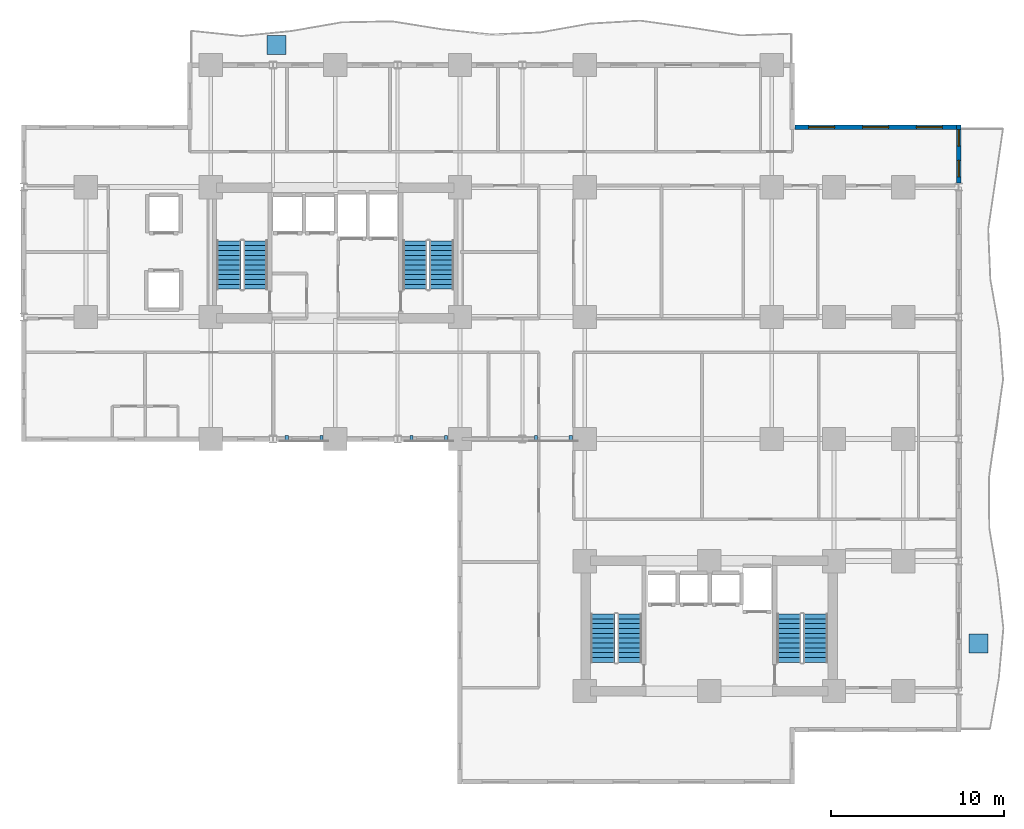
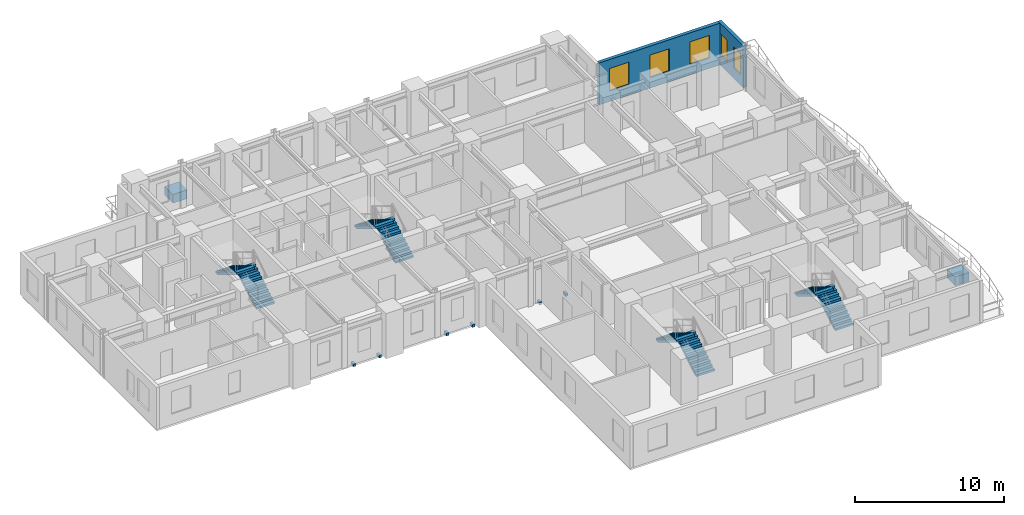
# One storey, part 8 of 11: 8 discrete accessories, 8 stair flights, 5 windows, 2 walls, 5 openings, 4 elements without a shape of their own.
"""IFC4 building model written with IfcOpenShell, lengths in metres."""

from ifc_helpers import new_model, si_unit, direction, frame, frame_2d, origin, origin_2d, place, context, subcontext, project, spatial, polyline, rectangle, outline, extrude, source, transform, mapped, material, layer, layer_set, type_object, element, fill, aggregate, save


model = new_model("IFC4")

# Units and contexts
model_context = context("Model", 3, precision=1e-05, world=origin(), true_north=direction((0.0, 1.0)))
body_context = subcontext(model_context, "Body", "Model", "MODEL_VIEW")
ifc_project = project(units=[si_unit("LENGTHUNIT", "METRE"), si_unit("AREAUNIT", "SQUARE_METRE"), si_unit("VOLUMEUNIT", "CUBIC_METRE"), si_unit("PLANEANGLEUNIT", "RADIAN"), si_unit("MASSUNIT", "GRAM", prefix="KILO")], contexts=[model_context])

# Site, building, storey
site_placement = place(None, origin())
site = spatial("IfcSite", under=ifc_project, at=site_placement, CompositionType="ELEMENT")
building_placement = place(site_placement, origin())
building = spatial("IfcBuilding", under=site, at=building_placement, Name="Kaliganga Portal Commons", CompositionType="ELEMENT")
storey_placement = place(building_placement, frame((0.0, 0.0, 51.199951171875)))
storey = spatial("IfcBuildingStorey", under=building, at=storey_placement, Name="L12", CompositionType="ELEMENT", Elevation=51.199951171875)

# Wall, openings, windows
ifc_material_1 = material(Name="Insulated Aluminium-Clad Spandrel Assembly", Category="aluminium")
ifc_layer = layer(ifc_material_1, 0.260009765625)
ifc_layer_set = layer_set([ifc_layer], Name="Insulated Aluminium-Clad Spandrel Assembly")
wall_type = type_object("IfcWallType", Name="WL-EXT-SPAND-260", PredefinedType="STANDARD", material=ifc_layer_set)
wall_1_placement = place(storey_placement, frame((57.60009765625, 39.72998046875, 0.0), z_axis=(0.0, 0.0, 1.0), x_axis=(0.0, -1.0, 0.0)))
wall_1 = element("IfcWall", 1, at=wall_1_placement, inside=storey, type_object=wall_type, Name="Exterior Envelope Wall L12 P1-E03-S6", PredefinedType="STANDARD", context=body_context, shape_type="SweptSolid", body=[
    extrude(rectangle(XDim=3.35595703125, YDim=0.260009765625, at=frame_2d((1.677978515625, 0.0))), origin(), (0.0, 0.0, 1.0), 3.429931640625),
])
opening_1_placement = place(wall_1_placement, frame((2.035400390625, 0.0, 0.85009765625)))
opening_1 = element("IfcOpeningElement", 2, at=opening_1_placement, cuts=wall_1, Name="Opening W-04", PredefinedType="OPENING", context=body_context, shape_type="SweptSolid", body=[
    extrude(rectangle(XDim=0.949951171875, YDim=1.75, at=frame_2d((0.47509765625, 0.875))), frame((0.0, 0.14013671875, 0.0), z_axis=(0.0, -1.0, 0.0), x_axis=(1.0, 0.0, 0.0)), (0.0, 0.0, 1.0), 0.280029296875),
])
opening_2_placement = place(wall_1_placement, frame((0.26318359375, 0.0, 0.85009765625)))
opening_2 = element("IfcOpeningElement", 3, at=opening_2_placement, cuts=wall_1, Name="Opening W-04", PredefinedType="OPENING", context=body_context, shape_type="SweptSolid", body=[
    extrude(rectangle(XDim=0.949951171875, YDim=1.75, at=frame_2d((0.47509765625, 0.875))), frame((0.0, 0.14013671875, 0.0), z_axis=(0.0, -1.0, 0.0), x_axis=(1.0, 0.0, 0.0)), (0.0, 0.0, 1.0), 0.280029296875),
])
ifc_material_2 = material(Name="Thermally Broken Aluminium and Low-E Double Glazing", Category="aluminium")
window_type_1 = type_object("IfcWindowType", Name="WIN-NARROW-950", PartitioningType="SINGLE_PANEL", PredefinedType="WINDOW", material=ifc_material_2)
window_1_placement = place(opening_1_placement, origin())
window_1 = element("IfcWindow", 4, at=window_1_placement, inside=storey, type_object=window_type_1, Name="Facade Window L12-P1E03S6-N2", OverallHeight=1.75, OverallWidth=0.949951171875, PartitioningType="SINGLE_PANEL", PredefinedType="WINDOW", context=body_context, shape_type="SweptSolid", body=[
    extrude(rectangle(XDim=0.949951171875, YDim=1.75, at=frame_2d((0.47509765625, 0.875))), frame((0.0, 0.030029296875, 0.0), z_axis=(0.0, -1.0, 0.0), x_axis=(1.0, 0.0, 0.0)), (0.0, 0.0, 1.0), 0.06005859375),
])
fill(opening_1, window_1)
window_2_placement = place(opening_2_placement, origin())
window_2 = element("IfcWindow", 5, at=window_2_placement, inside=storey, type_object=window_type_1, Name="Facade Window L12-P1E03S6-N9", OverallHeight=1.75, OverallWidth=0.949951171875, PartitioningType="SINGLE_PANEL", PredefinedType="WINDOW", context=body_context, shape_type="SweptSolid", body=[
    extrude(rectangle(XDim=0.949951171875, YDim=1.75, at=frame_2d((0.47509765625, 0.875))), frame((0.0, 0.030029296875, 0.0), z_axis=(0.0, -1.0, 0.0), x_axis=(1.0, 0.0, 0.0)), (0.0, 0.0, 1.0), 0.06005859375),
])
fill(opening_2, window_2)

wall_2_placement = place(storey_placement, frame((48.135009765625, 39.60009765625, 0.0), z_axis=(0.0, 0.0, 1.0), x_axis=(1.0, 0.0, 0.0)))
wall_2 = element("IfcWall", 6, at=wall_2_placement, inside=storey, type_object=wall_type, Name="Exterior Envelope Wall L12 P1-E04-S1", PredefinedType="STANDARD", context=body_context, shape_type="SweptSolid", body=[
    extrude(rectangle(XDim=9.330078125, YDim=0.260009765625, at=frame_2d((4.6650390625, 0.0))), origin(), (0.0, 0.0, 1.0), 3.429931640625),
])
opening_3_placement = place(wall_2_placement, frame((0.804931640625, 0.0, 0.85009765625)))
opening_3 = element("IfcOpeningElement", 7, at=opening_3_placement, cuts=wall_2, Name="Opening W-02", PredefinedType="OPENING", context=body_context, shape_type="SweptSolid", body=[
    extrude(rectangle(XDim=1.5, YDim=1.85009765625, at=frame_2d((0.75, 0.925048828125))), frame((0.0, 0.14013671875, 0.0), z_axis=(0.0, -1.0, 0.0), x_axis=(1.0, 0.0, 0.0)), (0.0, 0.0, 1.0), 0.280029296875),
])
opening_4_placement = place(wall_2_placement, frame((3.9150390625, 0.0, 0.85009765625)))
opening_4 = element("IfcOpeningElement", 8, at=opening_4_placement, cuts=wall_2, Name="Opening W-02", PredefinedType="OPENING", context=body_context, shape_type="SweptSolid", body=[
    extrude(rectangle(XDim=1.5, YDim=1.85009765625, at=frame_2d((0.75, 0.925048828125))), frame((0.0, 0.14013671875, 0.0), z_axis=(0.0, -1.0, 0.0), x_axis=(1.0, 0.0, 0.0)), (0.0, 0.0, 1.0), 0.280029296875),
])
opening_5_placement = place(wall_2_placement, frame((7.02490234375, 0.0, 0.85009765625)))
opening_5 = element("IfcOpeningElement", 9, at=opening_5_placement, cuts=wall_2, Name="Opening W-02", PredefinedType="OPENING", context=body_context, shape_type="SweptSolid", body=[
    extrude(rectangle(XDim=1.5, YDim=1.85009765625, at=frame_2d((0.75, 0.925048828125))), frame((0.0, 0.14013671875, 0.0), z_axis=(0.0, -1.0, 0.0), x_axis=(1.0, 0.0, 0.0)), (0.0, 0.0, 1.0), 0.280029296875),
])
window_type_2 = type_object("IfcWindowType", Name="WIN-STD-1500", PartitioningType="DOUBLE_PANEL_VERTICAL", PredefinedType="WINDOW", material=ifc_material_2)
window_3_placement = place(opening_3_placement, origin())
window_3 = element("IfcWindow", 10, at=window_3_placement, inside=storey, type_object=window_type_2, Name="Facade Window L12-P1E04S1-00", OverallHeight=1.85009765625, OverallWidth=1.5, PartitioningType="SINGLE_PANEL", PredefinedType="WINDOW", context=body_context, shape_type="SweptSolid", body=[
    extrude(rectangle(XDim=1.5, YDim=1.85009765625, at=frame_2d((0.75, 0.925048828125))), frame((0.0, 0.030029296875, 0.0), z_axis=(0.0, -1.0, 0.0), x_axis=(1.0, 0.0, 0.0)), (0.0, 0.0, 1.0), 0.06005859375),
])
fill(opening_3, window_3)
window_4_placement = place(opening_4_placement, origin())
window_4 = element("IfcWindow", 11, at=window_4_placement, inside=storey, type_object=window_type_2, Name="Facade Window L12-P1E04S1-01", OverallHeight=1.85009765625, OverallWidth=1.5, PartitioningType="SINGLE_PANEL", PredefinedType="WINDOW", context=body_context, shape_type="SweptSolid", body=[
    extrude(rectangle(XDim=1.5, YDim=1.85009765625, at=frame_2d((0.75, 0.925048828125))), frame((0.0, 0.030029296875, 0.0), z_axis=(0.0, -1.0, 0.0), x_axis=(1.0, 0.0, 0.0)), (0.0, 0.0, 1.0), 0.06005859375),
])
fill(opening_4, window_4)
window_5_placement = place(opening_5_placement, origin())
window_5 = element("IfcWindow", 12, at=window_5_placement, inside=storey, type_object=window_type_2, Name="Facade Window L12-P1E04S1-02", OverallHeight=1.85009765625, OverallWidth=1.5, PartitioningType="SINGLE_PANEL", PredefinedType="WINDOW", context=body_context, shape_type="SweptSolid", body=[
    extrude(rectangle(XDim=1.5, YDim=1.85009765625, at=frame_2d((0.75, 0.925048828125))), frame((0.0, 0.030029296875, 0.0), z_axis=(0.0, -1.0, 0.0), x_axis=(1.0, 0.0, 0.0)), (0.0, 0.0, 1.0), 0.06005859375),
])
fill(opening_5, window_5)

# Stair, stair flights
ifc_material_3 = material(Name="Concrete C40/50", Category="concrete")
stair_type = type_object("IfcStairType", Name="ST-CORE-DOGLEG", PredefinedType="HALF_TURN_STAIR", material=ifc_material_3)
stair_1_placement = place(storey_placement, origin())
stair_1 = element("IfcStair", 13, at=stair_1_placement, inside=storey, type_object=stair_type, Name="L12 Protected Exit Stair ST-A1", PredefinedType="HALF_TURN_STAIR")
stair_flight_type = type_object("IfcStairFlightType", Name="STF-RC-1400", PredefinedType="STRAIGHT", material=ifc_material_3)
stair_flight_1_placement = place(storey_placement, frame((17.0, 30.25, 0.0), z_axis=(0.0, 0.0, 1.0), x_axis=(0.0, 1.0, 0.0)))
stair_flight_1 = element("IfcStairFlight", 14, at=stair_flight_1_placement, type_object=stair_flight_type, Name="ST-A1 flight 1", NumberOfRisers=11, NumberOfTreads=10, PredefinedType="STRAIGHT", RiserHeight=0.168181818, TreadLength=0.28, context=body_context, shape_type="SweptSolid", body=[
    extrude(outline(polyline([(0.0, 0.0), (0.0, 0.168212890625), (0.280029296875, 0.168212890625), (0.280029296875, 0.33642578125), (0.56005859375, 0.33642578125), (0.56005859375, 0.504638671875), (0.840087890625, 0.504638671875), (0.840087890625, 0.672607421875), (1.1201171875, 0.672607421875), (1.1201171875, 0.8408203125), (1.39990234375, 0.8408203125), (1.39990234375, 1.009033203125), (1.679931640625, 1.009033203125), (1.679931640625, 1.17724609375), (1.9599609375, 1.17724609375), (1.9599609375, 1.345458984375), (2.239990234375, 1.345458984375), (2.239990234375, 1.513671875), (2.52001953125, 1.513671875), (2.52001953125, 1.681884765625), (2.800048828125, 1.681884765625), (2.800048828125, 1.85009765625), (2.800048828125, 1.5068359375), (0.291015625, 0.0), (0.0, 0.0)])), frame((0.0, 0.699951171875, 0.0), z_axis=(0.0, -1.0, 0.0), x_axis=(1.0, 0.0, 0.0)), (0.0, 0.0, 1.0), 1.39990234375),
])
stair_flight_2_placement = place(storey_placement, frame((15.449951171875, 33.050048828125, 1.85009765625), z_axis=(0.0, 0.0, 1.0), x_axis=(0.0, -1.0, 0.0)))
stair_flight_2 = element("IfcStairFlight", 15, at=stair_flight_2_placement, type_object=stair_flight_type, Name="ST-A1 flight 2", NumberOfRisers=11, NumberOfTreads=10, PredefinedType="STRAIGHT", RiserHeight=0.168181818, TreadLength=0.28, context=body_context, shape_type="SweptSolid", body=[
    extrude(outline(polyline([(0.0, 0.0), (0.0, 0.168212890625), (0.280029296875, 0.168212890625), (0.280029296875, 0.33642578125), (0.56005859375, 0.33642578125), (0.56005859375, 0.504638671875), (0.840087890625, 0.504638671875), (0.840087890625, 0.672607421875), (1.1201171875, 0.672607421875), (1.1201171875, 0.8408203125), (1.39990234375, 0.8408203125), (1.39990234375, 1.009033203125), (1.679931640625, 1.009033203125), (1.679931640625, 1.17724609375), (1.9599609375, 1.17724609375), (1.9599609375, 1.345458984375), (2.239990234375, 1.345458984375), (2.239990234375, 1.513671875), (2.52001953125, 1.513671875), (2.52001953125, 1.681884765625), (2.800048828125, 1.681884765625), (2.800048828125, 1.85009765625), (2.800048828125, 1.5068359375), (0.291015625, 0.0), (0.0, 0.0)])), frame((0.0, 0.699951171875, 0.0), z_axis=(0.0, -1.0, 0.0), x_axis=(1.0, 0.0, 0.0)), (0.0, 0.0, 1.0), 1.39990234375),
])
aggregate(stair_1, [stair_flight_1, stair_flight_2])

stair_2_placement = place(storey_placement, origin())
stair_2 = element("IfcStair", 16, at=stair_2_placement, inside=storey, type_object=stair_type, Name="L12 Protected Exit Stair ST-A2", PredefinedType="HALF_TURN_STAIR")
stair_flight_3_placement = place(storey_placement, frame((27.75, 30.25, 0.0), z_axis=(0.0, 0.0, 1.0), x_axis=(0.0, 1.0, 0.0)))
stair_flight_3 = element("IfcStairFlight", 17, at=stair_flight_3_placement, type_object=stair_flight_type, Name="ST-A2 flight 1", NumberOfRisers=11, NumberOfTreads=10, PredefinedType="STRAIGHT", RiserHeight=0.168181818, TreadLength=0.28, context=body_context, shape_type="SweptSolid", body=[
    extrude(outline(polyline([(0.0, 0.0), (0.0, 0.168212890625), (0.280029296875, 0.168212890625), (0.280029296875, 0.33642578125), (0.56005859375, 0.33642578125), (0.56005859375, 0.504638671875), (0.840087890625, 0.504638671875), (0.840087890625, 0.672607421875), (1.1201171875, 0.672607421875), (1.1201171875, 0.8408203125), (1.39990234375, 0.8408203125), (1.39990234375, 1.009033203125), (1.679931640625, 1.009033203125), (1.679931640625, 1.17724609375), (1.9599609375, 1.17724609375), (1.9599609375, 1.345458984375), (2.239990234375, 1.345458984375), (2.239990234375, 1.513671875), (2.52001953125, 1.513671875), (2.52001953125, 1.681884765625), (2.800048828125, 1.681884765625), (2.800048828125, 1.85009765625), (2.800048828125, 1.5068359375), (0.291015625, 0.0), (0.0, 0.0)])), frame((0.0, 0.699951171875, 0.0), z_axis=(0.0, -1.0, 0.0), x_axis=(1.0, 0.0, 0.0)), (0.0, 0.0, 1.0), 1.39990234375),
])
stair_flight_4_placement = place(storey_placement, frame((26.199951171875, 33.050048828125, 1.85009765625), z_axis=(0.0, 0.0, 1.0), x_axis=(0.0, -1.0, 0.0)))
stair_flight_4 = element("IfcStairFlight", 18, at=stair_flight_4_placement, type_object=stair_flight_type, Name="ST-A2 flight 2", NumberOfRisers=11, NumberOfTreads=10, PredefinedType="STRAIGHT", RiserHeight=0.168181818, TreadLength=0.28, context=body_context, shape_type="SweptSolid", body=[
    extrude(outline(polyline([(0.0, 0.0), (0.0, 0.168212890625), (0.280029296875, 0.168212890625), (0.280029296875, 0.33642578125), (0.56005859375, 0.33642578125), (0.56005859375, 0.504638671875), (0.840087890625, 0.504638671875), (0.840087890625, 0.672607421875), (1.1201171875, 0.672607421875), (1.1201171875, 0.8408203125), (1.39990234375, 0.8408203125), (1.39990234375, 1.009033203125), (1.679931640625, 1.009033203125), (1.679931640625, 1.17724609375), (1.9599609375, 1.17724609375), (1.9599609375, 1.345458984375), (2.239990234375, 1.345458984375), (2.239990234375, 1.513671875), (2.52001953125, 1.513671875), (2.52001953125, 1.681884765625), (2.800048828125, 1.681884765625), (2.800048828125, 1.85009765625), (2.800048828125, 1.5068359375), (0.291015625, 0.0), (0.0, 0.0)])), frame((0.0, 0.699951171875, 0.0), z_axis=(0.0, -1.0, 0.0), x_axis=(1.0, 0.0, 0.0)), (0.0, 0.0, 1.0), 1.39990234375),
])
aggregate(stair_2, [stair_flight_3, stair_flight_4])

stair_3_placement = place(storey_placement, origin())
stair_3 = element("IfcStair", 19, at=stair_3_placement, inside=storey, type_object=stair_type, Name="L12 Protected Exit Stair ST-B1", PredefinedType="HALF_TURN_STAIR")
stair_flight_5_placement = place(storey_placement, frame((38.60009765625, 8.699951171875, 0.0), z_axis=(0.0, 0.0, 1.0), x_axis=(0.0, 1.0, 0.0)))
stair_flight_5 = element("IfcStairFlight", 20, at=stair_flight_5_placement, type_object=stair_flight_type, Name="ST-B1 flight 1", NumberOfRisers=11, NumberOfTreads=10, PredefinedType="STRAIGHT", RiserHeight=0.168181818, TreadLength=0.28, context=body_context, shape_type="SweptSolid", body=[
    extrude(outline(polyline([(0.0, 0.0), (0.0, 0.168212890625), (0.280029296875, 0.168212890625), (0.280029296875, 0.33642578125), (0.56005859375, 0.33642578125), (0.56005859375, 0.504638671875), (0.840087890625, 0.504638671875), (0.840087890625, 0.672607421875), (1.1201171875, 0.672607421875), (1.1201171875, 0.8408203125), (1.39990234375, 0.8408203125), (1.39990234375, 1.009033203125), (1.679931640625, 1.009033203125), (1.679931640625, 1.17724609375), (1.9599609375, 1.17724609375), (1.9599609375, 1.345458984375), (2.239990234375, 1.345458984375), (2.239990234375, 1.513671875), (2.52001953125, 1.513671875), (2.52001953125, 1.681884765625), (2.800048828125, 1.681884765625), (2.800048828125, 1.85009765625), (2.800048828125, 1.5068359375), (0.291015625, 0.0), (0.0, 0.0)])), frame((0.0, 0.699951171875, 0.0), z_axis=(0.0, -1.0, 0.0), x_axis=(1.0, 0.0, 0.0)), (0.0, 0.0, 1.0), 1.39990234375),
])
stair_flight_6_placement = place(storey_placement, frame((37.050048828125, 11.5, 1.85009765625), z_axis=(0.0, 0.0, 1.0), x_axis=(0.0, -1.0, 0.0)))
stair_flight_6 = element("IfcStairFlight", 21, at=stair_flight_6_placement, type_object=stair_flight_type, Name="ST-B1 flight 2", NumberOfRisers=11, NumberOfTreads=10, PredefinedType="STRAIGHT", RiserHeight=0.168181818, TreadLength=0.28, context=body_context, shape_type="SweptSolid", body=[
    extrude(outline(polyline([(0.0, 0.0), (0.0, 0.168212890625), (0.280029296875, 0.168212890625), (0.280029296875, 0.33642578125), (0.56005859375, 0.33642578125), (0.56005859375, 0.504638671875), (0.840087890625, 0.504638671875), (0.840087890625, 0.672607421875), (1.1201171875, 0.672607421875), (1.1201171875, 0.8408203125), (1.39990234375, 0.8408203125), (1.39990234375, 1.009033203125), (1.679931640625, 1.009033203125), (1.679931640625, 1.17724609375), (1.9599609375, 1.17724609375), (1.9599609375, 1.345458984375), (2.239990234375, 1.345458984375), (2.239990234375, 1.513671875), (2.52001953125, 1.513671875), (2.52001953125, 1.681884765625), (2.800048828125, 1.681884765625), (2.800048828125, 1.85009765625), (2.800048828125, 1.5068359375), (0.291015625, 0.0), (0.0, 0.0)])), frame((0.0, 0.699951171875, 0.0), z_axis=(0.0, -1.0, 0.0), x_axis=(1.0, 0.0, 0.0)), (0.0, 0.0, 1.0), 1.39990234375),
])
aggregate(stair_3, [stair_flight_5, stair_flight_6])

stair_4_placement = place(storey_placement, origin())
stair_4 = element("IfcStair", 22, at=stair_4_placement, inside=storey, type_object=stair_type, Name="L12 Protected Exit Stair ST-B2", PredefinedType="HALF_TURN_STAIR")
stair_flight_7_placement = place(storey_placement, frame((49.35009765625, 8.699951171875, 0.0), z_axis=(0.0, 0.0, 1.0), x_axis=(0.0, 1.0, 0.0)))
stair_flight_7 = element("IfcStairFlight", 23, at=stair_flight_7_placement, type_object=stair_flight_type, Name="ST-B2 flight 1", NumberOfRisers=11, NumberOfTreads=10, PredefinedType="STRAIGHT", RiserHeight=0.168181818, TreadLength=0.28, context=body_context, shape_type="SweptSolid", body=[
    extrude(outline(polyline([(0.0, 0.0), (0.0, 0.168212890625), (0.280029296875, 0.168212890625), (0.280029296875, 0.33642578125), (0.56005859375, 0.33642578125), (0.56005859375, 0.504638671875), (0.840087890625, 0.504638671875), (0.840087890625, 0.672607421875), (1.1201171875, 0.672607421875), (1.1201171875, 0.8408203125), (1.39990234375, 0.8408203125), (1.39990234375, 1.009033203125), (1.679931640625, 1.009033203125), (1.679931640625, 1.17724609375), (1.9599609375, 1.17724609375), (1.9599609375, 1.345458984375), (2.239990234375, 1.345458984375), (2.239990234375, 1.513671875), (2.52001953125, 1.513671875), (2.52001953125, 1.681884765625), (2.800048828125, 1.681884765625), (2.800048828125, 1.85009765625), (2.800048828125, 1.5068359375), (0.291015625, 0.0), (0.0, 0.0)])), frame((0.0, 0.699951171875, 0.0), z_axis=(0.0, -1.0, 0.0), x_axis=(1.0, 0.0, 0.0)), (0.0, 0.0, 1.0), 1.39990234375),
])
stair_flight_8_placement = place(storey_placement, frame((47.800048828125, 11.5, 1.85009765625), z_axis=(0.0, 0.0, 1.0), x_axis=(0.0, -1.0, 0.0)))
stair_flight_8 = element("IfcStairFlight", 24, at=stair_flight_8_placement, type_object=stair_flight_type, Name="ST-B2 flight 2", NumberOfRisers=11, NumberOfTreads=10, PredefinedType="STRAIGHT", RiserHeight=0.168181818, TreadLength=0.28, context=body_context, shape_type="SweptSolid", body=[
    extrude(outline(polyline([(0.0, 0.0), (0.0, 0.168212890625), (0.280029296875, 0.168212890625), (0.280029296875, 0.33642578125), (0.56005859375, 0.33642578125), (0.56005859375, 0.504638671875), (0.840087890625, 0.504638671875), (0.840087890625, 0.672607421875), (1.1201171875, 0.672607421875), (1.1201171875, 0.8408203125), (1.39990234375, 0.8408203125), (1.39990234375, 1.009033203125), (1.679931640625, 1.009033203125), (1.679931640625, 1.17724609375), (1.9599609375, 1.17724609375), (1.9599609375, 1.345458984375), (2.239990234375, 1.345458984375), (2.239990234375, 1.513671875), (2.52001953125, 1.513671875), (2.52001953125, 1.681884765625), (2.800048828125, 1.681884765625), (2.800048828125, 1.85009765625), (2.800048828125, 1.5068359375), (0.291015625, 0.0), (0.0, 0.0)])), frame((0.0, 0.699951171875, 0.0), z_axis=(0.0, -1.0, 0.0), x_axis=(1.0, 0.0, 0.0)), (0.0, 0.0, 1.0), 1.39990234375),
])
aggregate(stair_4, [stair_flight_7, stair_flight_8])

# Discrete accessories
ifc_material_4 = material(Name="Precast concrete C40/50", Category="concrete")
discrete_accessory_type_1 = type_object("IfcDiscreteAccessoryType", Name="DAC-PLANTER-RC", PredefinedType="USERDEFINED", material=ifc_material_4)
shared_shape_1 = source(origin(), body_context, "Body", "SweptSolid", [
    extrude(rectangle(XDim=1.10009765625, YDim=1.10009765625, at=origin_2d()), origin(), (0.0, 0.0, 1.0), 0.719970703125),
])
for number, where, z_axis, x_axis, name in (
    (25, (18.199951171875, 44.35009765625, 0.0), (0.0, 0.0, 1.0), (1.0, 0.0, 0.0), "Structural Tree Planter L12 balc_north"),
    (26, (58.75, 9.800048828125, 0.0), (0.0, 0.0, 1.0), (1.0, 0.0, 0.0), "Structural Tree Planter L12 balc_east"),
):
    element("IfcDiscreteAccessory", number, at=place(storey_placement, frame(where, z_axis=z_axis, x_axis=x_axis)), inside=storey, type_object=discrete_accessory_type_1, Name=name, ObjectType="PLANTER", PredefinedType="USERDEFINED", context=body_context, shape_type="MappedRepresentation", body=[
        mapped(shared_shape_1, transform((0.0, 0.0, 0.0), x_axis=(1.0, 0.0, 0.0), y_axis=(0.0, 1.0, 0.0), z_axis=(0.0, 0.0, 1.0), scale=1.0)),
    ])
ifc_material_5 = material(Name="Structural steel S355J2", Category="steel")
discrete_accessory_type_2 = type_object("IfcDiscreteAccessoryType", Name="DAC-BRK-SCR", PredefinedType="BRACKET", material=ifc_material_5)
shared_shape_2 = source(origin(), body_context, "Body", "SweptSolid", [
    extrude(rectangle(XDim=0.179931640625, YDim=0.360107421875, at=origin_2d()), origin(), (0.0, 0.0, 1.0), 0.219970703125),
])
for number, where, z_axis, x_axis, name in (
    (27, (18.800048828125, 21.6201171875, -0.18994140625), (0.0, 0.0, 1.0), (1.0, 0.0, 0.0), "Solar Screen Outrigger Bracket L12-S1-1"),
    (28, (20.800048828125, 21.6201171875, -0.18994140625), (0.0, 0.0, 1.0), (1.0, 0.0, 0.0), "Solar Screen Outrigger Bracket L12-S1-2"),
    (29, (26.0, 21.6201171875, -0.18994140625), (0.0, 0.0, 1.0), (1.0, 0.0, 0.0), "Solar Screen Outrigger Bracket L12-S2-1"),
    (30, (28.0, 21.6201171875, -0.18994140625), (0.0, 0.0, 1.0), (1.0, 0.0, 0.0), "Solar Screen Outrigger Bracket L12-S2-2"),
    (31, (33.199951171875, 21.6201171875, -0.18994140625), (0.0, 0.0, 1.0), (1.0, 0.0, 0.0), "Solar Screen Outrigger Bracket L12-S3-1"),
    (32, (35.199951171875, 21.6201171875, -0.18994140625), (0.0, 0.0, 1.0), (1.0, 0.0, 0.0), "Solar Screen Outrigger Bracket L12-S3-2"),
):
    element("IfcDiscreteAccessory", number, at=place(storey_placement, frame(where, z_axis=z_axis, x_axis=x_axis)), inside=storey, type_object=discrete_accessory_type_2, Name=name, PredefinedType="BRACKET", context=body_context, shape_type="MappedRepresentation", body=[
        mapped(shared_shape_2, transform((0.0, 0.0, 0.0), x_axis=(1.0, 0.0, 0.0), y_axis=(0.0, 1.0, 0.0), z_axis=(0.0, 0.0, 1.0), scale=1.0)),
    ])

save(model, "model.ifc")
